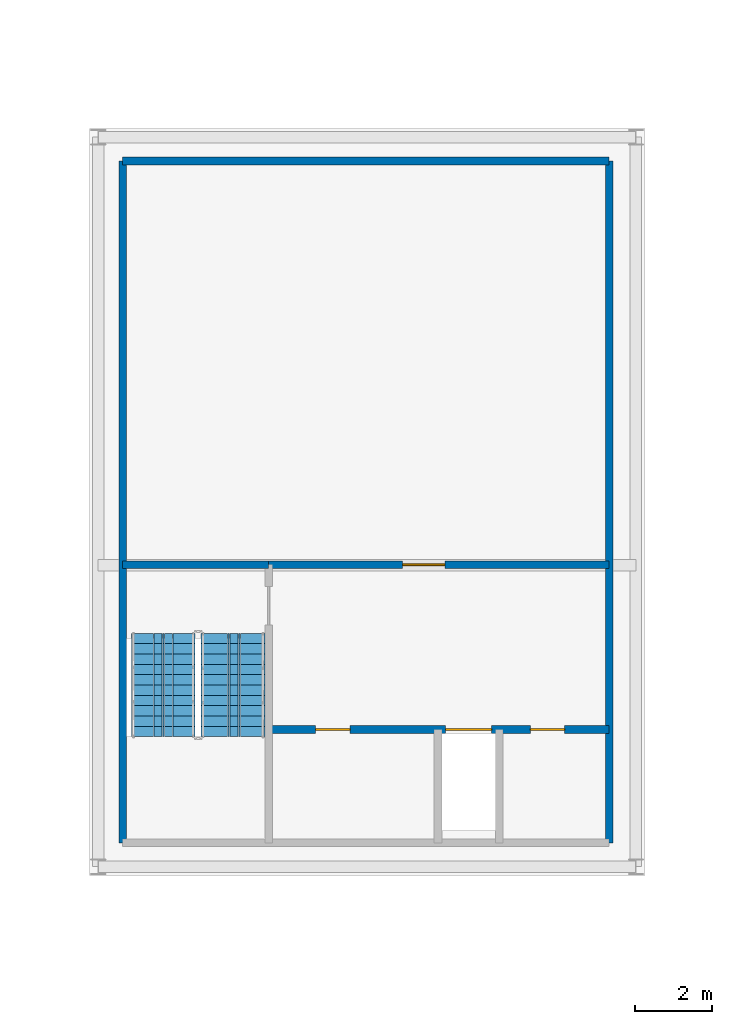
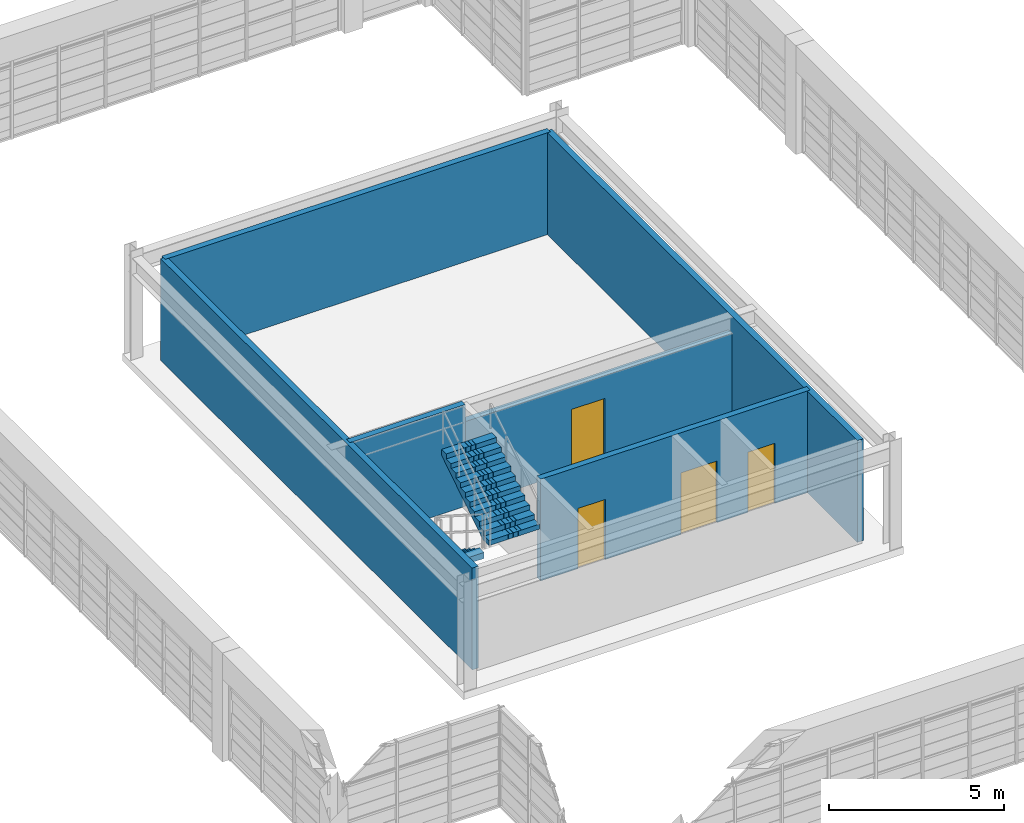
# One storey, part 24 of 27: 6 walls, 4 doors, 2 stair flights, 4 openings, 1 element without a shape of its own.
"""IFC4 building model written with IfcOpenShell, lengths in metres."""

from ifc_helpers import new_model, si_unit, direction, frame, frame_2d, origin, place, context, subcontext, project, spatial, polyline, rectangle, outline, extrude, source, transform, mapped, material, layer, layer_set, type_object, element, fill, aggregate, save


model = new_model("IFC4")

# Units and contexts
model_context = context("Model", 3, precision=1e-05, world=origin(), true_north=direction((0.0, 1.0)))
body_context = subcontext(model_context, "Body", "Model", "MODEL_VIEW")
ifc_project = project(units=[si_unit("LENGTHUNIT", "METRE"), si_unit("AREAUNIT", "SQUARE_METRE"), si_unit("VOLUMEUNIT", "CUBIC_METRE"), si_unit("PLANEANGLEUNIT", "RADIAN"), si_unit("MASSUNIT", "GRAM", prefix="KILO")], contexts=[model_context])

# Site, building, storey
site_placement = place(None, origin())
site = spatial("IfcSite", under=ifc_project, at=site_placement, CompositionType="ELEMENT")
building_placement = place(site_placement, origin())
building = spatial("IfcBuilding", under=site, at=building_placement, Name="Saelheon Loggia Tower", CompositionType="ELEMENT")
storey_placement = place(building_placement, frame((0.0, 0.0, 263.60009765625)))
storey = spatial("IfcBuildingStorey", under=building, at=storey_placement, Name="CR4", CompositionType="ELEMENT", Elevation=263.60009765625)

# Wall, openings, doors
ifc_material_1 = material(Name="Concrete C40/50", Category="concrete")
ifc_layer_1 = layer(ifc_material_1, 0.199951171875)
ifc_layer_set_1 = layer_set([ifc_layer_1], Name="Concrete C40/50")
wall_type_1 = type_object("IfcWallType", Name="Wall_Shaft_200", PredefinedType="PARTITIONING", material=ifc_layer_set_1)
wall_1_placement = place(storey_placement, frame((35.429931640625, 21.06005859375, 0.0), z_axis=(0.0, 0.0, 1.0), x_axis=(1.0, 0.0, 0.0)))
wall_1 = element("IfcWall", 1, at=wall_1_placement, inside=storey, type_object=wall_type_1, Name="CR4 SV1 Shaft Front Wall", PredefinedType="PARTITIONING", context=body_context, shape_type="SweptSolid", body=[
    extrude(rectangle(XDim=8.89013671875, YDim=0.199951171875, at=frame_2d((4.445068359375, 0.0))), origin(), (0.0, 0.0, 1.0), 3.5498046875),
])
opening_1_placement = place(wall_1_placement, frame((1.22998046875, 0.0, 0.0)))
opening_1 = element("IfcOpeningElement", 2, at=opening_1_placement, cuts=wall_1, Name="Opening D-RS1", PredefinedType="OPENING", context=body_context, shape_type="SweptSolid", body=[
    extrude(rectangle(XDim=0.89990234375, YDim=2.10009765625, at=frame_2d((0.449951171875, 1.050048828125))), frame((0.0, 0.112060546875, 0.0), z_axis=(0.0, -1.0, 0.0), x_axis=(1.0, 0.0, 0.0)), (0.0, 0.0, 1.0), 0.223876953125),
])
opening_2_placement = place(wall_1_placement, frame((4.6201171875, 0.0, 0.0)))
opening_2 = element("IfcOpeningElement", 3, at=opening_2_placement, cuts=wall_1, Name="Opening LD3", PredefinedType="OPENING", context=body_context, shape_type="SweptSolid", body=[
    extrude(rectangle(XDim=1.199951171875, YDim=2.14990234375, at=frame_2d((0.60009765625, 1.074951171875))), frame((0.0, 0.112060546875, 0.0), z_axis=(0.0, -1.0, 0.0), x_axis=(1.0, 0.0, 0.0)), (0.0, 0.0, 1.0), 0.223876953125),
])
opening_3_placement = place(wall_1_placement, frame((6.830078125, 0.0, 0.0)))
opening_3 = element("IfcOpeningElement", 4, at=opening_3_placement, cuts=wall_1, Name="Opening D-RS1", PredefinedType="OPENING", context=body_context, shape_type="SweptSolid", body=[
    extrude(rectangle(XDim=0.89990234375, YDim=2.10009765625, at=frame_2d((0.449951171875, 1.050048828125))), frame((0.0, 0.112060546875, 0.0), z_axis=(0.0, -1.0, 0.0), x_axis=(1.0, 0.0, 0.0)), (0.0, 0.0, 1.0), 0.223876953125),
])
ifc_material_2 = material(Name="Galvanised Steel Riser Access Door", Category="steel")
door_type_1 = type_object("IfcDoorType", Name="Door_Riser_FD60", OperationType="NOTDEFINED", PredefinedType="DOOR", material=ifc_material_2)
shared_shape_1 = source(origin(), body_context, "Body", "SweptSolid", [
    extrude(rectangle(XDim=0.89990234375, YDim=2.10009765625, at=frame_2d((0.449951171875, 1.050048828125))), frame((0.0, 0.02490234375, 0.0), z_axis=(0.0, -1.0, 0.0), x_axis=(1.0, 0.0, 0.0)), (0.0, 0.0, 1.0), 0.050048828125),
])
door_1_placement = place(opening_1_placement, origin())
door_1 = element("IfcDoor", 5, at=door_1_placement, inside=storey, type_object=door_type_1, Name="CR4 West Riser Closet Door", OperationType="SINGLE_SWING_LEFT", OverallHeight=2.10009765625, OverallWidth=0.89990234375, PredefinedType="DOOR", context=body_context, shape_type="MappedRepresentation", body=[
    mapped(shared_shape_1, transform((0.0, 0.0, 0.0), scale=1.0)),
])
fill(opening_1, door_1)
door_2_placement = place(opening_3_placement, origin())
door_2 = element("IfcDoor", 6, at=door_2_placement, inside=storey, type_object=door_type_1, Name="CR4 East Riser Closet Door", OperationType="SINGLE_SWING_RIGHT", OverallHeight=2.10009765625, OverallWidth=0.89990234375, PredefinedType="DOOR", context=body_context, shape_type="MappedRepresentation", body=[
    mapped(shared_shape_1, transform((0.0, 0.0, 0.0), scale=1.0)),
])
fill(opening_3, door_2)
ifc_material_3 = material(Name="Stretcher Lift Stainless Steel 304 Landing Door", Category="steel")
door_type_2 = type_object("IfcDoorType", Name="Door_Lift_LD3", OperationType="DOUBLE_DOOR_SLIDING", PredefinedType="DOOR", material=ifc_material_3)
shared_shape_2 = source(origin(), body_context, "Body", "SweptSolid", [
    extrude(rectangle(XDim=1.199951171875, YDim=2.14990234375, at=frame_2d((0.60009765625, 1.074951171875))), frame((0.0, 0.02490234375, 0.0), z_axis=(0.0, -1.0, 0.0), x_axis=(1.0, 0.0, 0.0)), (0.0, 0.0, 1.0), 0.050048828125),
])
door_3_placement = place(opening_2_placement, origin())
door_3 = element("IfcDoor", 7, at=door_3_placement, inside=storey, type_object=door_type_2, Name="CR4 SV1 Landing Door", OperationType="DOUBLE_DOOR_SLIDING", OverallHeight=2.14990234375, OverallWidth=1.199951171875, PredefinedType="DOOR", context=body_context, shape_type="MappedRepresentation", body=[
    mapped(shared_shape_2, transform((0.0, 0.0, 0.0), scale=1.0)),
])
fill(opening_2, door_3)

# Wall, opening, door
wall_2_placement = place(storey_placement, frame((35.429931640625, 25.360107421875, 0.0), z_axis=(0.0, 0.0, 1.0), x_axis=(1.0, 0.0, 0.0)))
wall_2 = element("IfcWall", 8, at=wall_2_placement, inside=storey, type_object=wall_type_1, Name="CR4 Service Lift Lobby North Wall", PredefinedType="PARTITIONING", context=body_context, shape_type="SweptSolid", body=[
    extrude(rectangle(XDim=8.89013671875, YDim=0.199951171875, at=frame_2d((4.445068359375, 0.0))), origin(), (0.0, 0.0, 1.0), 2.951904296875),
])
opening_4_placement = place(wall_2_placement, frame((3.5, 0.0, 0.0)))
opening_4 = element("IfcOpeningElement", 9, at=opening_4_placement, cuts=wall_2, Name="Opening D-FD2", PredefinedType="OPENING", context=body_context, shape_type="SweptSolid", body=[
    extrude(rectangle(XDim=1.10009765625, YDim=2.14990234375, at=frame_2d((0.550048828125, 1.074951171875))), frame((0.0, 0.112060546875, 0.0), z_axis=(0.0, -1.0, 0.0), x_axis=(1.0, 0.0, 0.0)), (0.0, 0.0, 1.0), 0.223876953125),
])
ifc_material_4 = material(Name="Galvanised Steel Fire Door", Category="steel")
door_type_3 = type_object("IfcDoorType", Name="Door_Fire_FD60_1100", OperationType="NOTDEFINED", PredefinedType="DOOR", material=ifc_material_4)
shared_shape_3 = source(origin(), body_context, "Body", "SweptSolid", [
    extrude(rectangle(XDim=1.10009765625, YDim=2.14990234375, at=frame_2d((0.550048828125, 1.074951171875))), frame((0.0, 0.02490234375, 0.0), z_axis=(0.0, -1.0, 0.0), x_axis=(1.0, 0.0, 0.0)), (0.0, 0.0, 1.0), 0.050048828125),
])
door_4_placement = place(opening_4_placement, origin())
door_4 = element("IfcDoor", 10, at=door_4_placement, inside=storey, type_object=door_type_3, Name="CR4 Crown Mechanical Room Door", OperationType="SINGLE_SWING_LEFT", OverallHeight=2.14990234375, OverallWidth=1.10009765625, PredefinedType="DOOR", context=body_context, shape_type="MappedRepresentation", body=[
    mapped(shared_shape_3, transform((0.0, 0.0, 0.0), scale=1.0)),
])
fill(opening_4, door_4)

# Walls
ifc_material_5 = material(Name="Concrete C45/55", Category="concrete")
ifc_layer_2 = layer(ifc_material_5, 0.199951171875)
ifc_layer_set_2 = layer_set([ifc_layer_2], Name="Concrete C45/55")
wall_type_2 = type_object("IfcWallType", Name="Wall_StairShaft_RC200", PredefinedType="SOLIDWALL", material=ifc_layer_set_2)
for number, where, z_axis, x_axis, name in (
    (11, (31.6201171875, 18.10009765625, 0.0), (0.0, 0.0, 1.0), (0.0, 1.0, 0.0), "CR4 Crown Core West Enclosure Wall"),
    (12, (44.320068359375, 18.10009765625, 0.0), (0.0, 0.0, 1.0), (0.0, 1.0, 0.0), "CR4 Crown Core East Enclosure Wall"),
):
    element("IfcWall", number, at=place(storey_placement, frame(where, z_axis=z_axis, x_axis=x_axis)), inside=storey, type_object=wall_type_2, Name=name, PredefinedType="SOLIDWALL", context=body_context, shape_type="SweptSolid", body=[
        extrude(rectangle(XDim=17.7998046875, YDim=0.199951171875, at=frame_2d((8.89990234375, 0.0))), origin(), (0.0, 0.0, 1.0), 3.5498046875),
    ])
wall_3_placement = place(storey_placement, frame((31.6201171875, 35.89990234375, 0.0), z_axis=(0.0, 0.0, 1.0), x_axis=(1.0, 0.0, 0.0)))
element("IfcWall", 13, at=wall_3_placement, inside=storey, type_object=wall_type_2, Name="CR4 Crown Core North Enclosure Wall", PredefinedType="SOLIDWALL", context=body_context, shape_type="SweptSolid", body=[
    extrude(rectangle(XDim=12.699951171875, YDim=0.199951171875, at=frame_2d((6.35009765625, 0.0))), origin(), (0.0, 0.0, 1.0), 3.5498046875),
])
wall_4_placement = place(storey_placement, frame((31.6201171875, 25.360107421875, 0.0), z_axis=(0.0, 0.0, 1.0), x_axis=(1.0, 0.0, 0.0)))
element("IfcWall", 14, at=wall_4_placement, inside=storey, type_object=wall_type_2, Name="CR4 ST5 Shaft North Wall", PredefinedType="SOLIDWALL", context=body_context, shape_type="SweptSolid", body=[
    extrude(rectangle(XDim=3.809814453125, YDim=0.199951171875, at=frame_2d((1.90478515625, 0.0))), origin(), (0.0, 0.0, 1.0), 3.5498046875),
])

# Stair, stair flights
stair_type = type_object("IfcStairType", Name="Stair_Plant_Crown", PredefinedType="HALF_TURN_STAIR", material=ifc_material_1)
stair_placement = place(storey_placement, origin())
stair = element("IfcStair", 15, at=stair_placement, inside=storey, type_object=stair_type, Name="CR4 Crown Plant Stair ST5", PredefinedType="HALF_TURN_STAIR")
stair_flight_type = type_object("IfcStairFlightType", Name="StairFlight_Crown_1520", PredefinedType="STRAIGHT", material=ifc_material_1)
stair_flight_1_placement = place(storey_placement, frame((32.679931640625, 23.570068359375, 0.0), z_axis=(0.0, 0.0, 1.0), x_axis=(0.0, -1.0, 0.0)))
stair_flight_1 = element("IfcStairFlight", 16, at=stair_flight_1_placement, type_object=stair_flight_type, Name="ST5 flight 1", NumberOfRisers=11, NumberOfTreads=10, PredefinedType="STRAIGHT", RiserHeight=0.172727273, TreadLength=0.27, context=body_context, shape_type="SweptSolid", body=[
    extrude(outline(polyline([(0.0, 0.0), (0.0, 0.172607421875), (0.27001953125, 0.172607421875), (0.27001953125, 0.345458984375), (0.5400390625, 0.345458984375), (0.5400390625, 0.51806640625), (0.81005859375, 0.51806640625), (0.81005859375, 0.69091796875), (1.080078125, 0.69091796875), (1.080078125, 0.863525390625), (1.35009765625, 0.863525390625), (1.35009765625, 1.036376953125), (1.6201171875, 1.036376953125), (1.6201171875, 1.208984375), (1.889892578125, 1.208984375), (1.889892578125, 1.3818359375), (2.159912109375, 1.3818359375), (2.159912109375, 1.554443359375), (2.429931640625, 1.554443359375), (2.429931640625, 1.727294921875), (2.699951171875, 1.727294921875), (2.699951171875, 1.89990234375), (2.699951171875, 1.513671875), (0.333984375, 0.0), (0.0, 0.0)])), frame((0.0, -0.2490234375, 0.0), z_axis=(0.0, -1.0, 0.0), x_axis=(1.0, 0.0, 0.0)), (0.0, 0.0, 1.0), 0.5810546875),
    extrude(outline(polyline([(0.0, 0.0), (0.0, 0.172607421875), (0.27001953125, 0.172607421875), (0.27001953125, 0.345458984375), (0.5400390625, 0.345458984375), (0.5400390625, 0.51806640625), (0.81005859375, 0.51806640625), (0.81005859375, 0.69091796875), (1.080078125, 0.69091796875), (1.080078125, 0.863525390625), (1.35009765625, 0.863525390625), (1.35009765625, 1.036376953125), (1.6201171875, 1.036376953125), (1.6201171875, 1.208984375), (1.889892578125, 1.208984375), (1.889892578125, 1.3818359375), (2.159912109375, 1.3818359375), (2.159912109375, 1.554443359375), (2.429931640625, 1.554443359375), (2.429931640625, 1.727294921875), (2.699951171875, 1.727294921875), (2.699951171875, 1.89990234375), (2.699951171875, 1.513671875), (0.333984375, 0.0), (0.0, 0.0)])), frame((0.0, -0.194091796875, 0.0), z_axis=(0.0, -1.0, 0.0), x_axis=(1.0, 0.0, 0.0)), (0.0, 0.0, 1.0), 0.0498046875),
    extrude(outline(polyline([(0.0, 0.0), (0.0, 0.172607421875), (0.27001953125, 0.172607421875), (0.27001953125, 0.345458984375), (0.5400390625, 0.345458984375), (0.5400390625, 0.51806640625), (0.81005859375, 0.51806640625), (0.81005859375, 0.69091796875), (1.080078125, 0.69091796875), (1.080078125, 0.863525390625), (1.35009765625, 0.863525390625), (1.35009765625, 1.036376953125), (1.6201171875, 1.036376953125), (1.6201171875, 1.208984375), (1.889892578125, 1.208984375), (1.889892578125, 1.3818359375), (2.159912109375, 1.3818359375), (2.159912109375, 1.554443359375), (2.429931640625, 1.554443359375), (2.429931640625, 1.727294921875), (2.699951171875, 1.727294921875), (2.699951171875, 1.89990234375), (2.699951171875, 1.513671875), (0.333984375, 0.0), (0.0, 0.0)])), frame((0.0, -0.139404296875, 0.0), z_axis=(0.0, -1.0, 0.0), x_axis=(1.0, 0.0, 0.0)), (0.0, 0.0, 1.0), 0.0498046875),
    extrude(outline(polyline([(0.0, 0.0), (0.0, 0.172607421875), (0.27001953125, 0.172607421875), (0.27001953125, 0.345458984375), (0.5400390625, 0.345458984375), (0.5400390625, 0.51806640625), (0.81005859375, 0.51806640625), (0.81005859375, 0.69091796875), (1.080078125, 0.69091796875), (1.080078125, 0.863525390625), (1.35009765625, 0.863525390625), (1.35009765625, 1.036376953125), (1.6201171875, 1.036376953125), (1.6201171875, 1.208984375), (1.889892578125, 1.208984375), (1.889892578125, 1.3818359375), (2.159912109375, 1.3818359375), (2.159912109375, 1.554443359375), (2.429931640625, 1.554443359375), (2.429931640625, 1.727294921875), (2.699951171875, 1.727294921875), (2.699951171875, 1.89990234375), (2.699951171875, 1.513671875), (0.333984375, 0.0), (0.0, 0.0)])), frame((0.0, -0.084716796875, 0.0), z_axis=(0.0, -1.0, 0.0), x_axis=(1.0, 0.0, 0.0)), (0.0, 0.0, 1.0), 0.0498046875),
    extrude(outline(polyline([(0.0, 0.0), (0.0, 0.172607421875), (0.27001953125, 0.172607421875), (0.27001953125, 0.345458984375), (0.5400390625, 0.345458984375), (0.5400390625, 0.51806640625), (0.81005859375, 0.51806640625), (0.81005859375, 0.69091796875), (1.080078125, 0.69091796875), (1.080078125, 0.863525390625), (1.35009765625, 0.863525390625), (1.35009765625, 1.036376953125), (1.6201171875, 1.036376953125), (1.6201171875, 1.208984375), (1.889892578125, 1.208984375), (1.889892578125, 1.3818359375), (2.159912109375, 1.3818359375), (2.159912109375, 1.554443359375), (2.429931640625, 1.554443359375), (2.429931640625, 1.727294921875), (2.699951171875, 1.727294921875), (2.699951171875, 1.89990234375), (2.699951171875, 1.513671875), (0.333984375, 0.0), (0.0, 0.0)])), frame((0.0, -0.02978515625, 0.0), z_axis=(0.0, -1.0, 0.0), x_axis=(1.0, 0.0, 0.0)), (0.0, 0.0, 1.0), 0.0498046875),
    extrude(outline(polyline([(0.0, 0.0), (0.0, 0.172607421875), (0.27001953125, 0.172607421875), (0.27001953125, 0.345458984375), (0.5400390625, 0.345458984375), (0.5400390625, 0.51806640625), (0.81005859375, 0.51806640625), (0.81005859375, 0.69091796875), (1.080078125, 0.69091796875), (1.080078125, 0.863525390625), (1.35009765625, 0.863525390625), (1.35009765625, 1.036376953125), (1.6201171875, 1.036376953125), (1.6201171875, 1.208984375), (1.889892578125, 1.208984375), (1.889892578125, 1.3818359375), (2.159912109375, 1.3818359375), (2.159912109375, 1.554443359375), (2.429931640625, 1.554443359375), (2.429931640625, 1.727294921875), (2.699951171875, 1.727294921875), (2.699951171875, 1.89990234375), (2.699951171875, 1.513671875), (0.333984375, 0.0), (0.0, 0.0)])), frame((0.0, 0.02490234375, 0.0), z_axis=(0.0, -1.0, 0.0), x_axis=(1.0, 0.0, 0.0)), (0.0, 0.0, 1.0), 0.0498046875),
    extrude(outline(polyline([(0.0, 0.0), (0.0, 0.172607421875), (0.27001953125, 0.172607421875), (0.27001953125, 0.345458984375), (0.5400390625, 0.345458984375), (0.5400390625, 0.51806640625), (0.81005859375, 0.51806640625), (0.81005859375, 0.69091796875), (1.080078125, 0.69091796875), (1.080078125, 0.863525390625), (1.35009765625, 0.863525390625), (1.35009765625, 1.036376953125), (1.6201171875, 1.036376953125), (1.6201171875, 1.208984375), (1.889892578125, 1.208984375), (1.889892578125, 1.3818359375), (2.159912109375, 1.3818359375), (2.159912109375, 1.554443359375), (2.429931640625, 1.554443359375), (2.429931640625, 1.727294921875), (2.699951171875, 1.727294921875), (2.699951171875, 1.89990234375), (2.699951171875, 1.513671875), (0.333984375, 0.0), (0.0, 0.0)])), frame((0.0, 0.07958984375, 0.0), z_axis=(0.0, -1.0, 0.0), x_axis=(1.0, 0.0, 0.0)), (0.0, 0.0, 1.0), 0.0498046875),
    extrude(outline(polyline([(0.0, 0.0), (0.0, 0.172607421875), (0.27001953125, 0.172607421875), (0.27001953125, 0.345458984375), (0.5400390625, 0.345458984375), (0.5400390625, 0.51806640625), (0.81005859375, 0.51806640625), (0.81005859375, 0.69091796875), (1.080078125, 0.69091796875), (1.080078125, 0.863525390625), (1.35009765625, 0.863525390625), (1.35009765625, 1.036376953125), (1.6201171875, 1.036376953125), (1.6201171875, 1.208984375), (1.889892578125, 1.208984375), (1.889892578125, 1.3818359375), (2.159912109375, 1.3818359375), (2.159912109375, 1.554443359375), (2.429931640625, 1.554443359375), (2.429931640625, 1.727294921875), (2.699951171875, 1.727294921875), (2.699951171875, 1.89990234375), (2.699951171875, 1.513671875), (0.333984375, 0.0), (0.0, 0.0)])), frame((0.0, 0.134521484375, 0.0), z_axis=(0.0, -1.0, 0.0), x_axis=(1.0, 0.0, 0.0)), (0.0, 0.0, 1.0), 0.0498046875),
    extrude(outline(polyline([(0.0, 0.0), (0.0, 0.172607421875), (0.27001953125, 0.172607421875), (0.27001953125, 0.345458984375), (0.5400390625, 0.345458984375), (0.5400390625, 0.51806640625), (0.81005859375, 0.51806640625), (0.81005859375, 0.69091796875), (1.080078125, 0.69091796875), (1.080078125, 0.863525390625), (1.35009765625, 0.863525390625), (1.35009765625, 1.036376953125), (1.6201171875, 1.036376953125), (1.6201171875, 1.208984375), (1.889892578125, 1.208984375), (1.889892578125, 1.3818359375), (2.159912109375, 1.3818359375), (2.159912109375, 1.554443359375), (2.429931640625, 1.554443359375), (2.429931640625, 1.727294921875), (2.699951171875, 1.727294921875), (2.699951171875, 1.89990234375), (2.699951171875, 1.513671875), (0.333984375, 0.0), (0.0, 0.0)])), frame((0.0, 0.189208984375, 0.0), z_axis=(0.0, -1.0, 0.0), x_axis=(1.0, 0.0, 0.0)), (0.0, 0.0, 1.0), 0.0498046875),
    extrude(outline(polyline([(0.0, 0.0), (0.0, 0.172607421875), (0.27001953125, 0.172607421875), (0.27001953125, 0.345458984375), (0.5400390625, 0.345458984375), (0.5400390625, 0.51806640625), (0.81005859375, 0.51806640625), (0.81005859375, 0.69091796875), (1.080078125, 0.69091796875), (1.080078125, 0.863525390625), (1.35009765625, 0.863525390625), (1.35009765625, 1.036376953125), (1.6201171875, 1.036376953125), (1.6201171875, 1.208984375), (1.889892578125, 1.208984375), (1.889892578125, 1.3818359375), (2.159912109375, 1.3818359375), (2.159912109375, 1.554443359375), (2.429931640625, 1.554443359375), (2.429931640625, 1.727294921875), (2.699951171875, 1.727294921875), (2.699951171875, 1.89990234375), (2.699951171875, 1.513671875), (0.333984375, 0.0), (0.0, 0.0)])), frame((0.0, 0.243896484375, 0.0), z_axis=(0.0, -1.0, 0.0), x_axis=(1.0, 0.0, 0.0)), (0.0, 0.0, 1.0), 0.0498046875),
    extrude(outline(polyline([(0.0, 0.0), (0.0, 0.172607421875), (0.27001953125, 0.172607421875), (0.27001953125, 0.345458984375), (0.5400390625, 0.345458984375), (0.5400390625, 0.51806640625), (0.81005859375, 0.51806640625), (0.81005859375, 0.69091796875), (1.080078125, 0.69091796875), (1.080078125, 0.863525390625), (1.35009765625, 0.863525390625), (1.35009765625, 1.036376953125), (1.6201171875, 1.036376953125), (1.6201171875, 1.208984375), (1.889892578125, 1.208984375), (1.889892578125, 1.3818359375), (2.159912109375, 1.3818359375), (2.159912109375, 1.554443359375), (2.429931640625, 1.554443359375), (2.429931640625, 1.727294921875), (2.699951171875, 1.727294921875), (2.699951171875, 1.89990234375), (2.699951171875, 1.513671875), (0.333984375, 0.0), (0.0, 0.0)])), frame((0.0, 0.830078125, 0.0), z_axis=(0.0, -1.0, 0.0), x_axis=(1.0, 0.0, 0.0)), (0.0, 0.0, 1.0), 0.5810546875),
])
stair_flight_2_placement = place(storey_placement, frame((34.5, 20.8701171875, 1.89990234375), z_axis=(0.0, 0.0, 1.0), x_axis=(0.0, 1.0, 0.0)))
stair_flight_2 = element("IfcStairFlight", 17, at=stair_flight_2_placement, type_object=stair_flight_type, Name="ST5 flight 2", NumberOfRisers=11, NumberOfTreads=10, PredefinedType="STRAIGHT", RiserHeight=0.172727273, TreadLength=0.27, context=body_context, shape_type="SweptSolid", body=[
    extrude(outline(polyline([(0.0, 0.0), (0.0, 0.172607421875), (0.27001953125, 0.172607421875), (0.27001953125, 0.345458984375), (0.5400390625, 0.345458984375), (0.5400390625, 0.51806640625), (0.81005859375, 0.51806640625), (0.81005859375, 0.69091796875), (1.080078125, 0.69091796875), (1.080078125, 0.863525390625), (1.35009765625, 0.863525390625), (1.35009765625, 1.036376953125), (1.6201171875, 1.036376953125), (1.6201171875, 1.208984375), (1.889892578125, 1.208984375), (1.889892578125, 1.3818359375), (2.159912109375, 1.3818359375), (2.159912109375, 1.554443359375), (2.429931640625, 1.554443359375), (2.429931640625, 1.727294921875), (2.699951171875, 1.727294921875), (2.699951171875, 1.89990234375), (2.699951171875, 1.513671875), (0.333984375, 0.0), (0.0, 0.0)])), frame((0.0, -0.2490234375, 0.0), z_axis=(0.0, -1.0, 0.0), x_axis=(1.0, 0.0, 0.0)), (0.0, 0.0, 1.0), 0.5810546875),
    extrude(outline(polyline([(0.0, 0.0), (0.0, 0.172607421875), (0.27001953125, 0.172607421875), (0.27001953125, 0.345458984375), (0.5400390625, 0.345458984375), (0.5400390625, 0.51806640625), (0.81005859375, 0.51806640625), (0.81005859375, 0.69091796875), (1.080078125, 0.69091796875), (1.080078125, 0.863525390625), (1.35009765625, 0.863525390625), (1.35009765625, 1.036376953125), (1.6201171875, 1.036376953125), (1.6201171875, 1.208984375), (1.889892578125, 1.208984375), (1.889892578125, 1.3818359375), (2.159912109375, 1.3818359375), (2.159912109375, 1.554443359375), (2.429931640625, 1.554443359375), (2.429931640625, 1.727294921875), (2.699951171875, 1.727294921875), (2.699951171875, 1.89990234375), (2.699951171875, 1.513671875), (0.333984375, 0.0), (0.0, 0.0)])), frame((0.0, -0.194091796875, 0.0), z_axis=(0.0, -1.0, 0.0), x_axis=(1.0, 0.0, 0.0)), (0.0, 0.0, 1.0), 0.0498046875),
    extrude(outline(polyline([(0.0, 0.0), (0.0, 0.172607421875), (0.27001953125, 0.172607421875), (0.27001953125, 0.345458984375), (0.5400390625, 0.345458984375), (0.5400390625, 0.51806640625), (0.81005859375, 0.51806640625), (0.81005859375, 0.69091796875), (1.080078125, 0.69091796875), (1.080078125, 0.863525390625), (1.35009765625, 0.863525390625), (1.35009765625, 1.036376953125), (1.6201171875, 1.036376953125), (1.6201171875, 1.208984375), (1.889892578125, 1.208984375), (1.889892578125, 1.3818359375), (2.159912109375, 1.3818359375), (2.159912109375, 1.554443359375), (2.429931640625, 1.554443359375), (2.429931640625, 1.727294921875), (2.699951171875, 1.727294921875), (2.699951171875, 1.89990234375), (2.699951171875, 1.513671875), (0.333984375, 0.0), (0.0, 0.0)])), frame((0.0, -0.139404296875, 0.0), z_axis=(0.0, -1.0, 0.0), x_axis=(1.0, 0.0, 0.0)), (0.0, 0.0, 1.0), 0.0498046875),
    extrude(outline(polyline([(0.0, 0.0), (0.0, 0.172607421875), (0.27001953125, 0.172607421875), (0.27001953125, 0.345458984375), (0.5400390625, 0.345458984375), (0.5400390625, 0.51806640625), (0.81005859375, 0.51806640625), (0.81005859375, 0.69091796875), (1.080078125, 0.69091796875), (1.080078125, 0.863525390625), (1.35009765625, 0.863525390625), (1.35009765625, 1.036376953125), (1.6201171875, 1.036376953125), (1.6201171875, 1.208984375), (1.889892578125, 1.208984375), (1.889892578125, 1.3818359375), (2.159912109375, 1.3818359375), (2.159912109375, 1.554443359375), (2.429931640625, 1.554443359375), (2.429931640625, 1.727294921875), (2.699951171875, 1.727294921875), (2.699951171875, 1.89990234375), (2.699951171875, 1.513671875), (0.333984375, 0.0), (0.0, 0.0)])), frame((0.0, -0.084716796875, 0.0), z_axis=(0.0, -1.0, 0.0), x_axis=(1.0, 0.0, 0.0)), (0.0, 0.0, 1.0), 0.0498046875),
    extrude(outline(polyline([(0.0, 0.0), (0.0, 0.172607421875), (0.27001953125, 0.172607421875), (0.27001953125, 0.345458984375), (0.5400390625, 0.345458984375), (0.5400390625, 0.51806640625), (0.81005859375, 0.51806640625), (0.81005859375, 0.69091796875), (1.080078125, 0.69091796875), (1.080078125, 0.863525390625), (1.35009765625, 0.863525390625), (1.35009765625, 1.036376953125), (1.6201171875, 1.036376953125), (1.6201171875, 1.208984375), (1.889892578125, 1.208984375), (1.889892578125, 1.3818359375), (2.159912109375, 1.3818359375), (2.159912109375, 1.554443359375), (2.429931640625, 1.554443359375), (2.429931640625, 1.727294921875), (2.699951171875, 1.727294921875), (2.699951171875, 1.89990234375), (2.699951171875, 1.513671875), (0.333984375, 0.0), (0.0, 0.0)])), frame((0.0, -0.02978515625, 0.0), z_axis=(0.0, -1.0, 0.0), x_axis=(1.0, 0.0, 0.0)), (0.0, 0.0, 1.0), 0.0498046875),
    extrude(outline(polyline([(0.0, 0.0), (0.0, 0.172607421875), (0.27001953125, 0.172607421875), (0.27001953125, 0.345458984375), (0.5400390625, 0.345458984375), (0.5400390625, 0.51806640625), (0.81005859375, 0.51806640625), (0.81005859375, 0.69091796875), (1.080078125, 0.69091796875), (1.080078125, 0.863525390625), (1.35009765625, 0.863525390625), (1.35009765625, 1.036376953125), (1.6201171875, 1.036376953125), (1.6201171875, 1.208984375), (1.889892578125, 1.208984375), (1.889892578125, 1.3818359375), (2.159912109375, 1.3818359375), (2.159912109375, 1.554443359375), (2.429931640625, 1.554443359375), (2.429931640625, 1.727294921875), (2.699951171875, 1.727294921875), (2.699951171875, 1.89990234375), (2.699951171875, 1.513671875), (0.333984375, 0.0), (0.0, 0.0)])), frame((0.0, 0.02490234375, 0.0), z_axis=(0.0, -1.0, 0.0), x_axis=(1.0, 0.0, 0.0)), (0.0, 0.0, 1.0), 0.0498046875),
    extrude(outline(polyline([(0.0, 0.0), (0.0, 0.172607421875), (0.27001953125, 0.172607421875), (0.27001953125, 0.345458984375), (0.5400390625, 0.345458984375), (0.5400390625, 0.51806640625), (0.81005859375, 0.51806640625), (0.81005859375, 0.69091796875), (1.080078125, 0.69091796875), (1.080078125, 0.863525390625), (1.35009765625, 0.863525390625), (1.35009765625, 1.036376953125), (1.6201171875, 1.036376953125), (1.6201171875, 1.208984375), (1.889892578125, 1.208984375), (1.889892578125, 1.3818359375), (2.159912109375, 1.3818359375), (2.159912109375, 1.554443359375), (2.429931640625, 1.554443359375), (2.429931640625, 1.727294921875), (2.699951171875, 1.727294921875), (2.699951171875, 1.89990234375), (2.699951171875, 1.513671875), (0.333984375, 0.0), (0.0, 0.0)])), frame((0.0, 0.07958984375, 0.0), z_axis=(0.0, -1.0, 0.0), x_axis=(1.0, 0.0, 0.0)), (0.0, 0.0, 1.0), 0.0498046875),
    extrude(outline(polyline([(0.0, 0.0), (0.0, 0.172607421875), (0.27001953125, 0.172607421875), (0.27001953125, 0.345458984375), (0.5400390625, 0.345458984375), (0.5400390625, 0.51806640625), (0.81005859375, 0.51806640625), (0.81005859375, 0.69091796875), (1.080078125, 0.69091796875), (1.080078125, 0.863525390625), (1.35009765625, 0.863525390625), (1.35009765625, 1.036376953125), (1.6201171875, 1.036376953125), (1.6201171875, 1.208984375), (1.889892578125, 1.208984375), (1.889892578125, 1.3818359375), (2.159912109375, 1.3818359375), (2.159912109375, 1.554443359375), (2.429931640625, 1.554443359375), (2.429931640625, 1.727294921875), (2.699951171875, 1.727294921875), (2.699951171875, 1.89990234375), (2.699951171875, 1.513671875), (0.333984375, 0.0), (0.0, 0.0)])), frame((0.0, 0.134521484375, 0.0), z_axis=(0.0, -1.0, 0.0), x_axis=(1.0, 0.0, 0.0)), (0.0, 0.0, 1.0), 0.0498046875),
    extrude(outline(polyline([(0.0, 0.0), (0.0, 0.172607421875), (0.27001953125, 0.172607421875), (0.27001953125, 0.345458984375), (0.5400390625, 0.345458984375), (0.5400390625, 0.51806640625), (0.81005859375, 0.51806640625), (0.81005859375, 0.69091796875), (1.080078125, 0.69091796875), (1.080078125, 0.863525390625), (1.35009765625, 0.863525390625), (1.35009765625, 1.036376953125), (1.6201171875, 1.036376953125), (1.6201171875, 1.208984375), (1.889892578125, 1.208984375), (1.889892578125, 1.3818359375), (2.159912109375, 1.3818359375), (2.159912109375, 1.554443359375), (2.429931640625, 1.554443359375), (2.429931640625, 1.727294921875), (2.699951171875, 1.727294921875), (2.699951171875, 1.89990234375), (2.699951171875, 1.513671875), (0.333984375, 0.0), (0.0, 0.0)])), frame((0.0, 0.189208984375, 0.0), z_axis=(0.0, -1.0, 0.0), x_axis=(1.0, 0.0, 0.0)), (0.0, 0.0, 1.0), 0.0498046875),
    extrude(outline(polyline([(0.0, 0.0), (0.0, 0.172607421875), (0.27001953125, 0.172607421875), (0.27001953125, 0.345458984375), (0.5400390625, 0.345458984375), (0.5400390625, 0.51806640625), (0.81005859375, 0.51806640625), (0.81005859375, 0.69091796875), (1.080078125, 0.69091796875), (1.080078125, 0.863525390625), (1.35009765625, 0.863525390625), (1.35009765625, 1.036376953125), (1.6201171875, 1.036376953125), (1.6201171875, 1.208984375), (1.889892578125, 1.208984375), (1.889892578125, 1.3818359375), (2.159912109375, 1.3818359375), (2.159912109375, 1.554443359375), (2.429931640625, 1.554443359375), (2.429931640625, 1.727294921875), (2.699951171875, 1.727294921875), (2.699951171875, 1.89990234375), (2.699951171875, 1.513671875), (0.333984375, 0.0), (0.0, 0.0)])), frame((0.0, 0.243896484375, 0.0), z_axis=(0.0, -1.0, 0.0), x_axis=(1.0, 0.0, 0.0)), (0.0, 0.0, 1.0), 0.0498046875),
    extrude(outline(polyline([(0.0, 0.0), (0.0, 0.172607421875), (0.27001953125, 0.172607421875), (0.27001953125, 0.345458984375), (0.5400390625, 0.345458984375), (0.5400390625, 0.51806640625), (0.81005859375, 0.51806640625), (0.81005859375, 0.69091796875), (1.080078125, 0.69091796875), (1.080078125, 0.863525390625), (1.35009765625, 0.863525390625), (1.35009765625, 1.036376953125), (1.6201171875, 1.036376953125), (1.6201171875, 1.208984375), (1.889892578125, 1.208984375), (1.889892578125, 1.3818359375), (2.159912109375, 1.3818359375), (2.159912109375, 1.554443359375), (2.429931640625, 1.554443359375), (2.429931640625, 1.727294921875), (2.699951171875, 1.727294921875), (2.699951171875, 1.89990234375), (2.699951171875, 1.513671875), (0.333984375, 0.0), (0.0, 0.0)])), frame((0.0, 0.830078125, 0.0), z_axis=(0.0, -1.0, 0.0), x_axis=(1.0, 0.0, 0.0)), (0.0, 0.0, 1.0), 0.5810546875),
])
aggregate(stair, [stair_flight_1, stair_flight_2])

save(model, "model.ifc")
